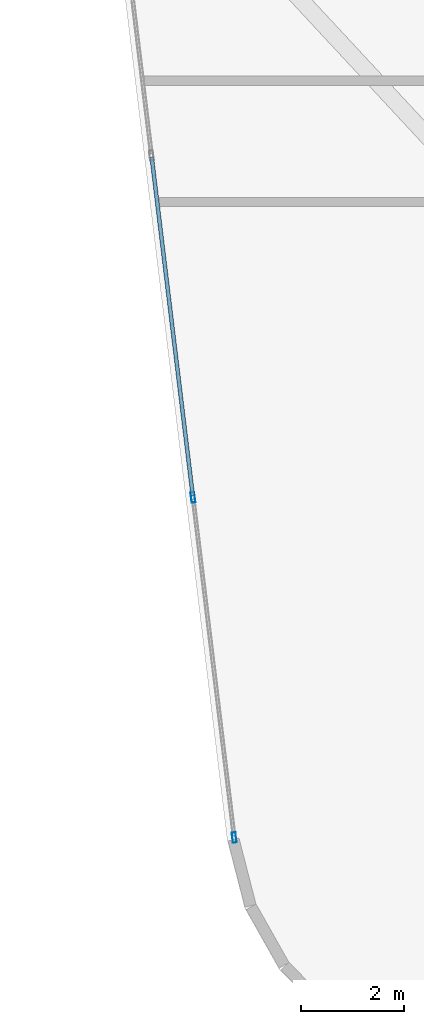
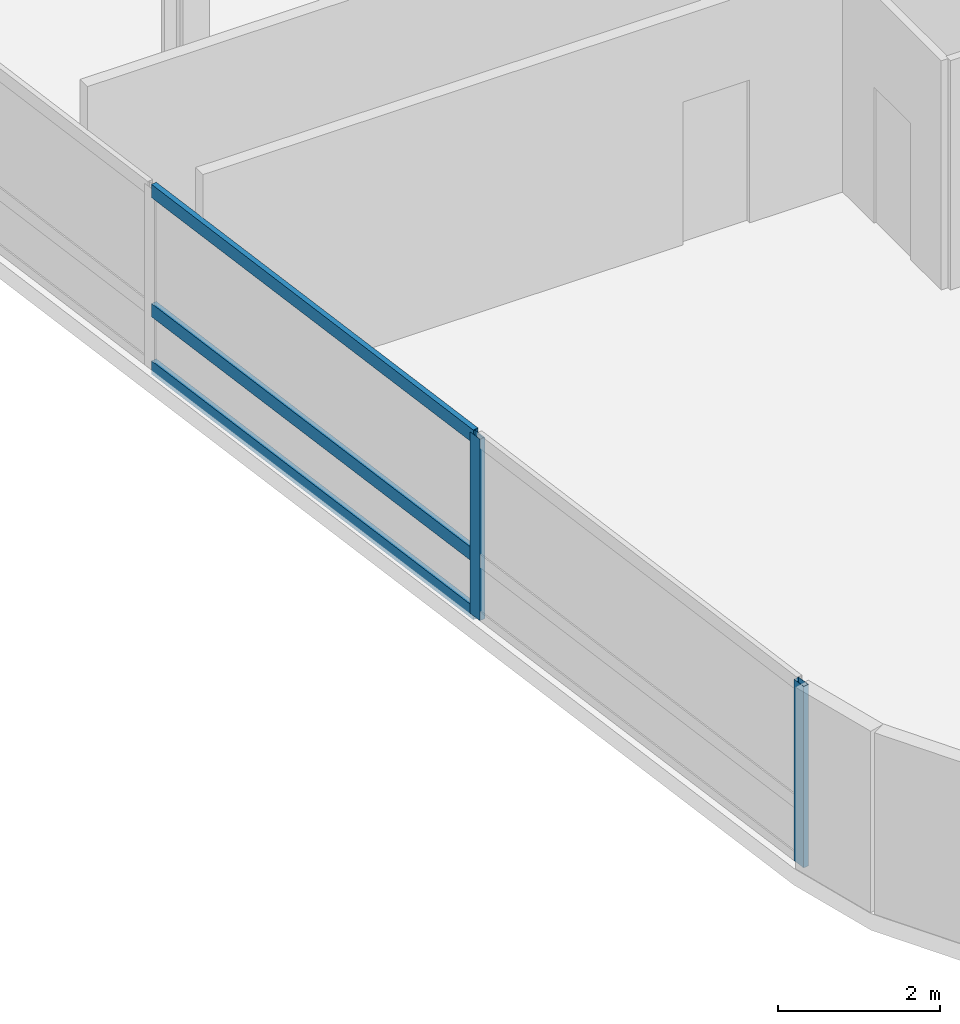
# One storey, part 2 of 23: 5 members, 1 element without a shape of its own.
"""IFC4 building model written with IfcOpenShell, lengths in metres."""

from ifc_helpers import new_model, si_unit, direction, frame, origin, origin_2d, place, context, subcontext, project, spatial, hollow_rectangle, extrude, material, layer, layer_set, material_profile, profile_set, type_object, element, aggregate, save


model = new_model("IFC4")

# Units and contexts
model_context = context("Model", 3, precision=1e-05, world=origin(), true_north=direction((0.0, 1.0)))
body_context = subcontext(model_context, "Body", "Model", "MODEL_VIEW")
ifc_project = project(units=[si_unit("LENGTHUNIT", "METRE"), si_unit("AREAUNIT", "SQUARE_METRE"), si_unit("VOLUMEUNIT", "CUBIC_METRE"), si_unit("PLANEANGLEUNIT", "RADIAN"), si_unit("MASSUNIT", "GRAM", prefix="KILO")], contexts=[model_context])

# Site, building, storey
site_placement = place(None, origin())
site = spatial("IfcSite", under=ifc_project, at=site_placement, CompositionType="ELEMENT")
building_placement = place(site_placement, origin())
building = spatial("IfcBuilding", under=site, at=building_placement, Name="Varnelok Gate Tower", CompositionType="ELEMENT")
storey_placement = place(building_placement, frame((0.0, 0.0, 174.60009765625)))
storey = spatial("IfcBuildingStorey", under=building, at=storey_placement, Name="L44", CompositionType="ELEMENT", Elevation=174.60009765625)

# Curtain wall, members
ifc_material = material(Name="Anodized Aluminum Alloy 6063-T6", Category="aluminium")
ifc_layer = layer(ifc_material, 0.179931640625)
ifc_layer_set = layer_set([ifc_layer], Name="Anodized Aluminum Alloy 6063-T6")
curtain_wall_type = type_object("IfcCurtainWallType", Name="CW4-RESIDENCE-VISION", PredefinedType="USERDEFINED", material=ifc_layer_set)
curtain_wall_placement = place(storey_placement, origin())
curtain_wall = element("IfcCurtainWall", 1, at=curtain_wall_placement, inside=storey, type_object=curtain_wall_type, Name="L44 West End Vision Curtain Wall", ObjectType="UNITISED CURTAIN WALL", PredefinedType="USERDEFINED")
ifc_material_profile_1 = material_profile(ifc_material, hollow_rectangle(XDim=0.074951171875, YDim=0.199951171875, WallThickness=0.00390625, at=origin_2d()), Name="ALU200X75X4")
ifc_profile_set_1 = profile_set([ifc_material_profile_1], Name="Anodized Aluminum Alloy 6063-T6")
member_type_1 = type_object("IfcMemberType", Name="CW-MULL-200", PredefinedType="MULLION", material=ifc_profile_set_1)
member_1_placement = place(storey_placement, frame((6.30078125, 4.52734375, 0.0), z_axis=(0.0, 0.0, 1.0), x_axis=(-0.992732188751, -0.120344511371, 0.0)))
member_1 = element("IfcMember", 2, at=member_1_placement, type_object=member_type_1, Name="CW4 mullion 1", PredefinedType="MULLION", context=body_context, shape_type="SweptSolid", body=[
    extrude(hollow_rectangle(XDim=0.074951171875, YDim=0.199951171875, WallThickness=0.00390625, at=origin_2d()), origin(), (0.0, 0.0, 1.0), 2.72998046875),
])
member_2_placement = place(storey_placement, frame((5.50146484375, 11.12158203125, 0.0), z_axis=(0.0, 0.0, 1.0), x_axis=(-0.992732188751, -0.120344511371, 0.0)))
member_2 = element("IfcMember", 3, at=member_2_placement, type_object=member_type_1, Name="CW4 mullion 2", PredefinedType="MULLION", context=body_context, shape_type="SweptSolid", body=[
    extrude(hollow_rectangle(XDim=0.074951171875, YDim=0.199951171875, WallThickness=0.00390625, at=origin_2d()), origin(), (0.0, 0.0, 1.0), 2.72998046875),
])
ifc_material_profile_2 = material_profile(ifc_material, hollow_rectangle(XDim=0.074951171875, YDim=0.199951171875, WallThickness=0.00390625, at=origin_2d()), Name="ALU200X75X4")
ifc_profile_set_2 = profile_set([ifc_material_profile_2], Name="Anodized Aluminum Alloy 6063-T6")
member_type_2 = type_object("IfcMemberType", Name="CW-TRAN-200", PredefinedType="USERDEFINED", material=ifc_profile_set_2)
member_3_placement = place(storey_placement, frame((5.496826171875, 11.15869140625, 0.037353515625), z_axis=(-0.120349029092, 0.992731641078, 0.0), x_axis=(-0.992731641078, -0.120349029092, 0.0)))
member_3 = element("IfcMember", 4, at=member_3_placement, type_object=member_type_2, Name="CW4 transom 2.1", ObjectType="TRANSOM", PredefinedType="USERDEFINED", context=body_context, shape_type="SweptSolid", body=[
    extrude(hollow_rectangle(XDim=0.074951171875, YDim=0.199951171875, WallThickness=0.00390625, at=origin_2d()), origin(), (0.0, 0.0, 1.0), 6.605224609375),
])
member_4_placement = place(storey_placement, frame((5.496826171875, 11.15869140625, 0.89990234375), z_axis=(-0.120349029092, 0.992731641078, 0.0), x_axis=(-0.992731641078, -0.120349029092, 0.0)))
member_4 = element("IfcMember", 5, at=member_4_placement, type_object=member_type_2, Name="CW4 transom 2.2", ObjectType="TRANSOM", PredefinedType="USERDEFINED", context=body_context, shape_type="SweptSolid", body=[
    extrude(hollow_rectangle(XDim=0.074951171875, YDim=0.199951171875, WallThickness=0.00390625, at=origin_2d()), origin(), (0.0, 0.0, 1.0), 6.605224609375),
])
member_5_placement = place(storey_placement, frame((5.496826171875, 11.15869140625, 2.6923828125), z_axis=(-0.120349029092, 0.992731641078, 0.0), x_axis=(-0.992731641078, -0.120349029092, 0.0)))
member_5 = element("IfcMember", 6, at=member_5_placement, type_object=member_type_2, Name="CW4 transom 2.3", ObjectType="TRANSOM", PredefinedType="USERDEFINED", context=body_context, shape_type="SweptSolid", body=[
    extrude(hollow_rectangle(XDim=0.074951171875, YDim=0.199951171875, WallThickness=0.00390625, at=origin_2d()), origin(), (0.0, 0.0, 1.0), 6.605224609375),
])
aggregate(curtain_wall, [member_1, member_2, member_3, member_4, member_5])

save(model, "model.ifc")
